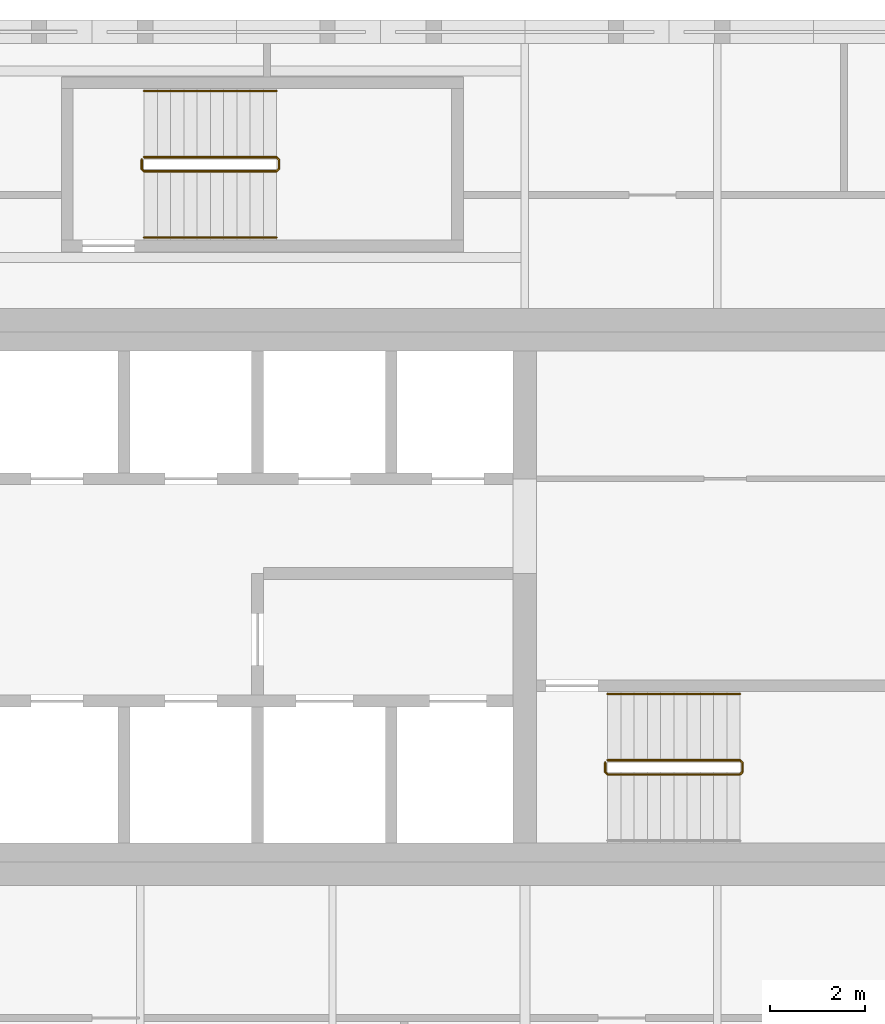
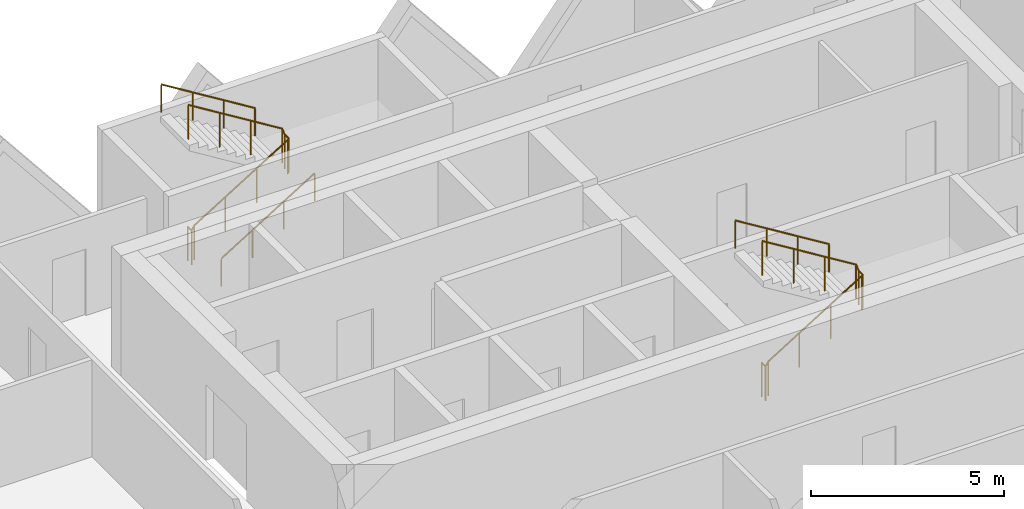
# One storey, part 19 of 19: 5 railings.
"""IFC4 building model written with IfcOpenShell, lengths in metres."""

from ifc_helpers import new_model, si_unit, direction, frame, origin, origin_2d, place, context, subcontext, project, spatial, circle, extrude, material, type_object, element, save


model = new_model("IFC4")

# Units and contexts
model_context = context("Model", 3, precision=1e-05, world=origin(), true_north=direction((0.0, 1.0)))
body_context = subcontext(model_context, "Body", "Model", "MODEL_VIEW")
ifc_project = project(units=[si_unit("LENGTHUNIT", "METRE"), si_unit("AREAUNIT", "SQUARE_METRE"), si_unit("VOLUMEUNIT", "CUBIC_METRE"), si_unit("PLANEANGLEUNIT", "RADIAN"), si_unit("MASSUNIT", "GRAM", prefix="KILO")], contexts=[model_context])

# Site, building, storey
site_placement = place(None, origin())
site = spatial("IfcSite", under=ifc_project, at=site_placement, CompositionType="ELEMENT")
building_placement = place(site_placement, origin())
building = spatial("IfcBuilding", under=site, at=building_placement, Name="Tessera Gate Towers", CompositionType="ELEMENT")
storey_placement = place(building_placement, frame((0.0, 0.0, 76.199951171875)))
storey = spatial("IfcBuildingStorey", under=building, at=storey_placement, Name="L18", CompositionType="ELEMENT", Elevation=76.199951171875)

# Railings
ifc_material_1 = material(Name="Steel 350W", Category="steel")
railing_type_1 = type_object("IfcRailingType", Name="STAIR GUARD 1100", PredefinedType="GUARDRAIL", material=ifc_material_1)
railing_1_placement = place(storey_placement, frame((111.5, 39.199951171875, 0.0)))
element("IfcRailing", 1, at=railing_1_placement, inside=storey, type_object=railing_type_1, Name="L18 ST6 stair guard 1", PredefinedType="GUARDRAIL", context=body_context, shape_type="SweptSolid", body=[
    extrude(circle(Radius=0.02392578125, at=origin_2d()), frame((0.0, 0.0, 1.076171875), z_axis=(0.0, -1.0, 0.0), x_axis=(1.0, 0.0, 0.0)), (0.0, 0.0, 1.0), 0.199951171875),
    extrude(circle(Radius=0.02392578125, at=origin_2d()), frame((0.0, -0.199951171875, 1.076171875), z_axis=(0.267953482034, -0.267953482034, 0.925419830635), x_axis=(0.707106781187, 0.707106781187, 0.0)), (0.0, 0.0, 1.0), 0.186767578125),
    extrude(circle(Radius=0.02392578125, at=origin_2d()), frame((0.050048828125, -0.25, 1.2490234375), z_axis=(0.851089632645, 0.0, 0.525020415988), x_axis=(0.0, 1.0, 0.0)), (0.0, 0.0, 1.0), 3.2900390625),
    extrude(circle(Radius=0.02392578125, at=origin_2d()), frame((2.85009765625, -0.25, 2.97607421875), z_axis=(0.705375805398, 0.708833529934, 0.0), x_axis=(-0.708833529934, 0.705375805398, 0.0)), (0.0, 0.0, 1.0), 0.070556640625),
    extrude(circle(Radius=0.02392578125, at=origin_2d()), frame((2.89990234375, -0.199951171875, 2.97607421875), z_axis=(0.0, 1.0, 0.0), x_axis=(-1.0, 0.0, 0.0)), (0.0, 0.0, 1.0), 0.199951171875),
    extrude(circle(Radius=0.02392578125, at=origin_2d()), frame((2.89990234375, 0.0, 2.97607421875), z_axis=(-0.267062837333, 0.268371968888, 0.925556009775), x_axis=(-0.708833529934, -0.705375805398, 0.0)), (0.0, 0.0, 1.0), 0.1865234375),
    extrude(circle(Radius=0.02392578125, at=origin_2d()), frame((2.85009765625, 0.050048828125, 3.14892578125), z_axis=(-0.851089632645, 0.0, 0.525020415988), x_axis=(0.0, -1.0, 0.0)), (0.0, 0.0, 1.0), 3.2900390625),
    extrude(circle(Radius=0.02099609375, at=origin_2d()), origin(), (0.0, 0.0, 1.0), 1.052001953125),
    extrude(circle(Radius=0.02099609375, at=origin_2d()), frame((0.0, -0.199951171875, 0.0)), (0.0, 0.0, 1.0), 1.052001953125),
    extrude(circle(Radius=0.02099609375, at=origin_2d()), frame((0.050048828125, -0.25, 0.1728515625)), (0.0, 0.0, 1.0), 1.052001953125),
    extrude(circle(Radius=0.02099609375, at=origin_2d()), frame((0.9833984375, -0.25, 0.74853515625)), (0.0, 0.0, 1.0), 1.052001953125),
    extrude(circle(Radius=0.02099609375, at=origin_2d()), frame((1.916748046875, -0.25, 1.324462890625)), (0.0, 0.0, 1.0), 1.052001953125),
    extrude(circle(Radius=0.02099609375, at=origin_2d()), frame((2.85009765625, -0.25, 1.900146484375)), (0.0, 0.0, 1.0), 1.052001953125),
    extrude(circle(Radius=0.02099609375, at=origin_2d()), frame((2.89990234375, -0.199951171875, 1.900146484375)), (0.0, 0.0, 1.0), 1.052001953125),
    extrude(circle(Radius=0.02099609375, at=origin_2d()), frame((2.89990234375, 0.0, 1.900146484375)), (0.0, 0.0, 1.0), 1.052001953125),
    extrude(circle(Radius=0.02099609375, at=origin_2d()), frame((2.85009765625, 0.050048828125, 2.07275390625)), (0.0, 0.0, 1.0), 1.052001953125),
    extrude(circle(Radius=0.02099609375, at=origin_2d()), frame((1.916748046875, 0.050048828125, 2.6484375)), (0.0, 0.0, 1.0), 1.052001953125),
    extrude(circle(Radius=0.02099609375, at=origin_2d()), frame((0.9833984375, 0.050048828125, 3.224365234375)), (0.0, 0.0, 1.0), 1.052001953125),
    extrude(circle(Radius=0.02099609375, at=origin_2d()), frame((0.050048828125, 0.050048828125, 3.800048828125)), (0.0, 0.0, 1.0), 1.052001953125),
])
railing_2_placement = place(storey_placement, frame((101.699951171875, 51.949951171875, 0.0)))
element("IfcRailing", 2, at=railing_2_placement, inside=storey, type_object=railing_type_1, Name="L18 ST7 stair guard 1", PredefinedType="GUARDRAIL", context=body_context, shape_type="SweptSolid", body=[
    extrude(circle(Radius=0.02392578125, at=origin_2d()), frame((0.0, 0.0, 1.076171875), z_axis=(0.0, -1.0, 0.0), x_axis=(1.0, 0.0, 0.0)), (0.0, 0.0, 1.0), 0.199951171875),
    extrude(circle(Radius=0.02392578125, at=origin_2d()), frame((0.0, -0.199951171875, 1.076171875), z_axis=(0.267953482034, -0.267953482034, 0.925419830635), x_axis=(0.707106781187, 0.707106781187, 0.0)), (0.0, 0.0, 1.0), 0.186767578125),
    extrude(circle(Radius=0.02392578125, at=origin_2d()), frame((0.050048828125, -0.25, 1.2490234375), z_axis=(0.851089632645, 0.0, 0.525020415988), x_axis=(0.0, 1.0, 0.0)), (0.0, 0.0, 1.0), 3.2900390625),
    extrude(circle(Radius=0.02392578125, at=origin_2d()), frame((2.85009765625, -0.25, 2.97607421875), z_axis=(0.707106781187, 0.707106781187, 0.0), x_axis=(-0.707106781187, 0.707106781187, 0.0)), (0.0, 0.0, 1.0), 0.07080078125),
    extrude(circle(Radius=0.02392578125, at=origin_2d()), frame((2.900146484375, -0.199951171875, 2.97607421875), z_axis=(0.0, 1.0, 0.0), x_axis=(-1.0, 0.0, 0.0)), (0.0, 0.0, 1.0), 0.199951171875),
    extrude(circle(Radius=0.02392578125, at=origin_2d()), frame((2.900146484375, 0.0, 2.97607421875), z_axis=(-0.268277960024, 0.268277960024, 0.925231793839), x_axis=(-0.707106781187, -0.707106781187, 0.0)), (0.0, 0.0, 1.0), 0.1865234375),
    extrude(circle(Radius=0.02392578125, at=origin_2d()), frame((2.85009765625, 0.050048828125, 3.14892578125), z_axis=(-0.851089632645, 0.0, 0.525020415988), x_axis=(0.0, -1.0, 0.0)), (0.0, 0.0, 1.0), 3.2900390625),
    extrude(circle(Radius=0.02099609375, at=origin_2d()), origin(), (0.0, 0.0, 1.0), 1.052001953125),
    extrude(circle(Radius=0.02099609375, at=origin_2d()), frame((0.0, -0.199951171875, 0.0)), (0.0, 0.0, 1.0), 1.052001953125),
    extrude(circle(Radius=0.02099609375, at=origin_2d()), frame((0.050048828125, -0.25, 0.1728515625)), (0.0, 0.0, 1.0), 1.052001953125),
    extrude(circle(Radius=0.02099609375, at=origin_2d()), frame((0.9833984375, -0.25, 0.74853515625)), (0.0, 0.0, 1.0), 1.052001953125),
    extrude(circle(Radius=0.02099609375, at=origin_2d()), frame((1.916748046875, -0.25, 1.324462890625)), (0.0, 0.0, 1.0), 1.052001953125),
    extrude(circle(Radius=0.02099609375, at=origin_2d()), frame((2.85009765625, -0.25, 1.900146484375)), (0.0, 0.0, 1.0), 1.052001953125),
    extrude(circle(Radius=0.02099609375, at=origin_2d()), frame((2.900146484375, -0.199951171875, 1.900146484375)), (0.0, 0.0, 1.0), 1.052001953125),
    extrude(circle(Radius=0.02099609375, at=origin_2d()), frame((2.900146484375, 0.0, 1.900146484375)), (0.0, 0.0, 1.0), 1.052001953125),
    extrude(circle(Radius=0.02099609375, at=origin_2d()), frame((2.85009765625, 0.050048828125, 2.07275390625)), (0.0, 0.0, 1.0), 1.052001953125),
    extrude(circle(Radius=0.02099609375, at=origin_2d()), frame((1.916748046875, 0.050048828125, 2.6484375)), (0.0, 0.0, 1.0), 1.052001953125),
    extrude(circle(Radius=0.02099609375, at=origin_2d()), frame((0.9833984375, 0.050048828125, 3.224365234375)), (0.0, 0.0, 1.0), 1.052001953125),
    extrude(circle(Radius=0.02099609375, at=origin_2d()), frame((0.050048828125, 0.050048828125, 3.800048828125)), (0.0, 0.0, 1.0), 1.052001953125),
])
ifc_material_2 = material(Name="Steel 350W", Category="steel")
railing_type_2 = type_object("IfcRailingType", Name="STAIR HANDRAIL 900", PredefinedType="HANDRAIL", material=ifc_material_2)
railing_3_placement = place(storey_placement, frame((114.35009765625, 40.64990234375, 2.07275390625)))
element("IfcRailing", 3, at=railing_3_placement, inside=storey, type_object=railing_type_2, Name="L18 ST6 stair handrail 2", PredefinedType="HANDRAIL", context=body_context, shape_type="SweptSolid", body=[
    extrude(circle(Radius=0.02392578125, at=origin_2d()), frame((0.0, 0.0, 0.8759765625), z_axis=(-0.851089632645, 0.0, 0.525020415988), x_axis=(0.0, -1.0, 0.0)), (0.0, 0.0, 1.0), 3.2900390625),
    extrude(circle(Radius=0.02099609375, at=origin_2d()), origin(), (0.0, 0.0, 1.0), 0.851806640625),
    extrude(circle(Radius=0.02099609375, at=origin_2d()), frame((-0.933349609375, 0.0, 0.57568359375)), (0.0, 0.0, 1.0), 0.851806640625),
    extrude(circle(Radius=0.02099609375, at=origin_2d()), frame((-1.86669921875, 0.0, 1.151611328125)), (0.0, 0.0, 1.0), 0.851806640625),
    extrude(circle(Radius=0.02099609375, at=origin_2d()), frame((-2.800048828125, 0.0, 1.727294921875)), (0.0, 0.0, 1.0), 0.851806640625),
])
railing_4_placement = place(storey_placement, frame((101.75, 50.300048828125, 0.1728515625)))
element("IfcRailing", 4, at=railing_4_placement, inside=storey, type_object=railing_type_2, Name="L18 ST7 stair handrail 1", PredefinedType="HANDRAIL", context=body_context, shape_type="SweptSolid", body=[
    extrude(circle(Radius=0.02392578125, at=origin_2d()), frame((0.0, 0.0, 0.8759765625), z_axis=(0.851089632645, 0.0, 0.525020415988), x_axis=(0.0, 1.0, 0.0)), (0.0, 0.0, 1.0), 3.2900390625),
    extrude(circle(Radius=0.02099609375, at=origin_2d()), origin(), (0.0, 0.0, 1.0), 0.851806640625),
    extrude(circle(Radius=0.02099609375, at=origin_2d()), frame((0.933349609375, 0.0, 0.57568359375)), (0.0, 0.0, 1.0), 0.851806640625),
    extrude(circle(Radius=0.02099609375, at=origin_2d()), frame((1.86669921875, 0.0, 1.151611328125)), (0.0, 0.0, 1.0), 0.851806640625),
    extrude(circle(Radius=0.02099609375, at=origin_2d()), frame((2.800048828125, 0.0, 1.727294921875)), (0.0, 0.0, 1.0), 0.851806640625),
])
railing_5_placement = place(storey_placement, frame((104.550048828125, 53.39990234375, 2.07275390625)))
element("IfcRailing", 5, at=railing_5_placement, inside=storey, type_object=railing_type_2, Name="L18 ST7 stair handrail 2", PredefinedType="HANDRAIL", context=body_context, shape_type="SweptSolid", body=[
    extrude(circle(Radius=0.02392578125, at=origin_2d()), frame((0.0, 0.0, 0.8759765625), z_axis=(-0.851089632645, 0.0, 0.525020415988), x_axis=(0.0, -1.0, 0.0)), (0.0, 0.0, 1.0), 3.2900390625),
    extrude(circle(Radius=0.02099609375, at=origin_2d()), origin(), (0.0, 0.0, 1.0), 0.851806640625),
    extrude(circle(Radius=0.02099609375, at=origin_2d()), frame((-0.933349609375, 0.0, 0.57568359375)), (0.0, 0.0, 1.0), 0.851806640625),
    extrude(circle(Radius=0.02099609375, at=origin_2d()), frame((-1.86669921875, 0.0, 1.151611328125)), (0.0, 0.0, 1.0), 0.851806640625),
    extrude(circle(Radius=0.02099609375, at=origin_2d()), frame((-2.800048828125, 0.0, 1.727294921875)), (0.0, 0.0, 1.0), 0.851806640625),
])

save(model, "model.ifc")
